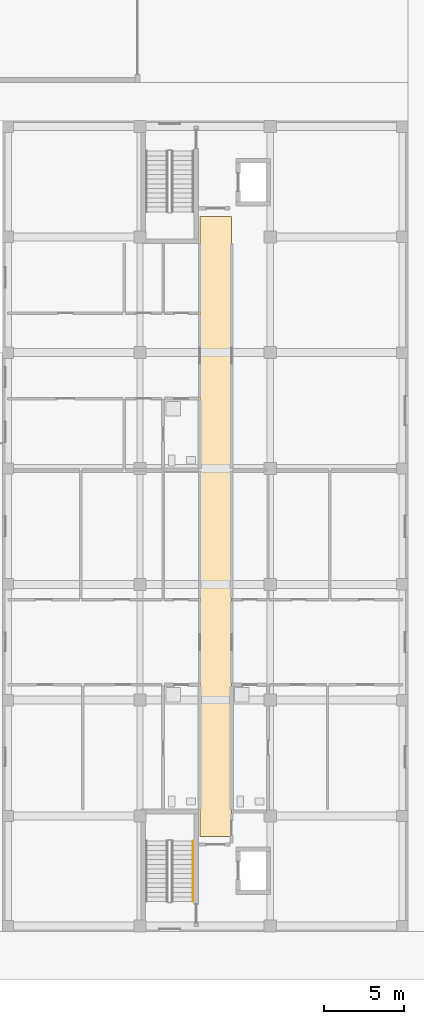
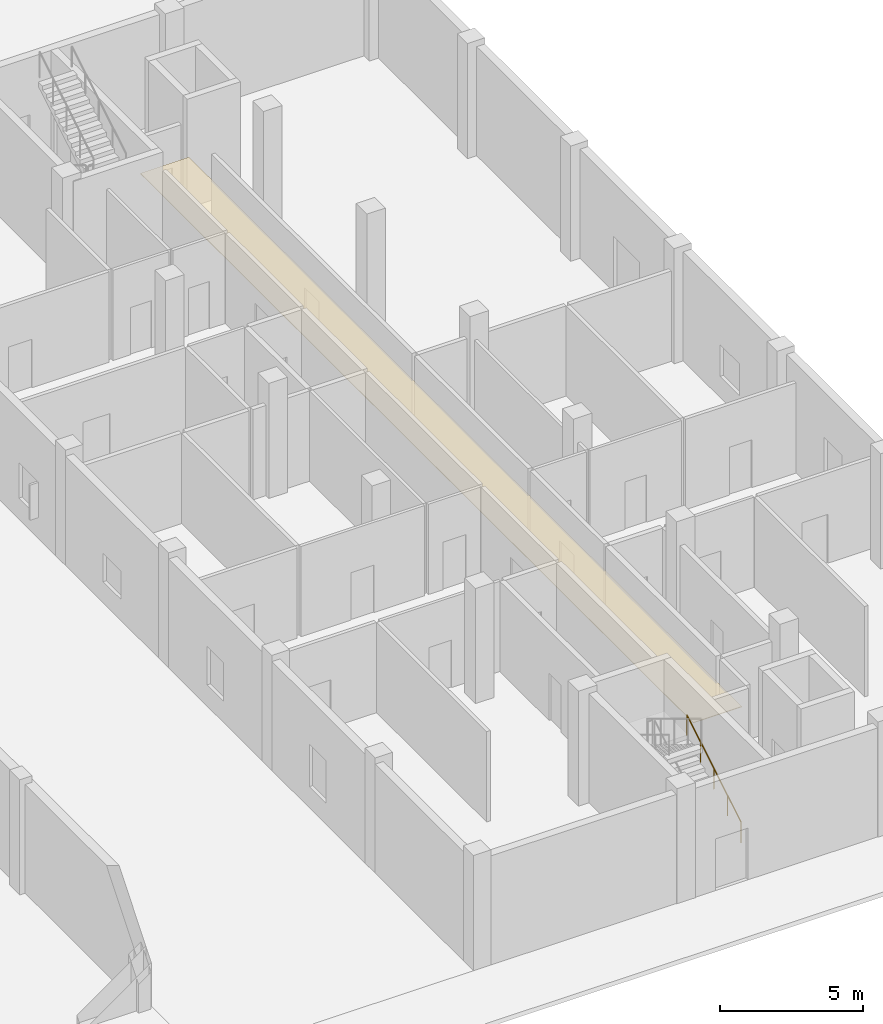
# One storey, part 76 of 85: 1 covering, 1 railing.
"""IFC4 building model written with IfcOpenShell, lengths in metres."""

from ifc_helpers import new_model, si_unit, derived_unit, direction, frame, origin, origin_2d, place, context, subcontext, project, spatial, polyline, circle, outline, extrude, material, layer, layer_set, type_object, element, save


model = new_model("IFC4")

# Units and contexts
model_context = context("Model", 3, precision=1e-05, world=origin(), true_north=direction((0.0, 1.0)))
body_context = subcontext(model_context, "Body", "Model", "MODEL_VIEW")
ifc_project = project(units=[si_unit("LENGTHUNIT", "METRE"), si_unit("AREAUNIT", "SQUARE_METRE"), si_unit("VOLUMEUNIT", "CUBIC_METRE"), si_unit("PLANEANGLEUNIT", "RADIAN"), si_unit("MASSUNIT", "GRAM", prefix="KILO"), derived_unit("THERMALTRANSMITTANCEUNIT", [(si_unit("MASSUNIT", "GRAM", prefix="KILO"), 1), (si_unit("TIMEUNIT", "SECOND"), -3), (si_unit("THERMODYNAMICTEMPERATUREUNIT", "KELVIN"), -1)])], contexts=[model_context])

# Site, building, storey
site_placement = place(None, origin())
site = spatial("IfcSite", under=ifc_project, at=site_placement, CompositionType="ELEMENT")
building_placement = place(site_placement, origin())
building = spatial("IfcBuilding", under=site, at=building_placement, Name="Ochrekiln Boulevard Commons", CompositionType="ELEMENT")
storey_placement = place(building_placement, origin())
storey = spatial("IfcBuildingStorey", under=building, at=storey_placement, Name="L00", CompositionType="ELEMENT", Elevation=0.0)

# Covering
ifc_material_1 = material(Name="Mineral-fibre acoustic ceiling tile")
ifc_layer = layer(ifc_material_1, 0.02490234375)
ifc_layer_set = layer_set([ifc_layer], Name="Mineral-fibre acoustic ceiling tile")
covering_type = type_object("IfcCoveringType", Name="COV-CEIL-AC", PredefinedType="CEILING", material=ifc_layer_set)
covering_placement = place(storey_placement, frame((0.0, 0.0, 2.64990234375)))
element("IfcCovering", 1, at=covering_placement, inside=storey, type_object=covering_type, Name="L00 Acoustic Corridor Ceiling 3", PredefinedType="CEILING", context=body_context, shape_type="SweptSolid", body=[
    extrude(outline(polyline([(159.8701171875, 5.919921875), (161.830078125, 5.919921875), (161.830078125, 44.47998046875), (159.8701171875, 44.47998046875), (159.8701171875, 5.919921875)])), origin(), (0.0, 0.0, 1.0), 0.025146484375),
])

# Railing
ifc_material_2 = material(Name="Brushed stainless steel 316 tubular railing", Category="steel")
railing_type = type_object("IfcRailingType", Name="RLG-HDR-900", PredefinedType="HANDRAIL", material=ifc_material_2)
railing_placement = place(storey_placement, frame((159.449951171875, 1.8701171875, 0.175048828125)))
element("IfcRailing", 2, at=railing_placement, inside=storey, type_object=railing_type, Name="L00 ST-C1 stair handrail 1", PredefinedType="HANDRAIL", context=body_context, shape_type="SweptSolid", body=[
    extrude(circle(Radius=0.02392578125, at=origin_2d()), frame((0.0, 0.0, 0.8759765625), z_axis=(0.0, 0.856183854908, 0.516671275179), x_axis=(-1.0, 0.0, 0.0)), (0.0, 0.0, 1.0), 4.403076171875),
    extrude(circle(Radius=0.02099609375, at=origin_2d()), origin(), (0.0, 0.0, 1.0), 0.851806640625),
    extrude(circle(Radius=0.02099609375, at=origin_2d()), frame((0.0, 0.9423828125, 0.56884765625)), (0.0, 0.0, 1.0), 0.851806640625),
    extrude(circle(Radius=0.02099609375, at=origin_2d()), frame((0.0, 1.884765625, 1.137451171875)), (0.0, 0.0, 1.0), 0.851806640625),
    extrude(circle(Radius=0.02099609375, at=origin_2d()), frame((0.0, 2.827392578125, 1.7060546875)), (0.0, 0.0, 1.0), 0.851806640625),
    extrude(circle(Radius=0.02099609375, at=origin_2d()), frame((0.0, 3.769775390625, 2.27490234375)), (0.0, 0.0, 1.0), 0.851806640625),
])

save(model, "model.ifc")
